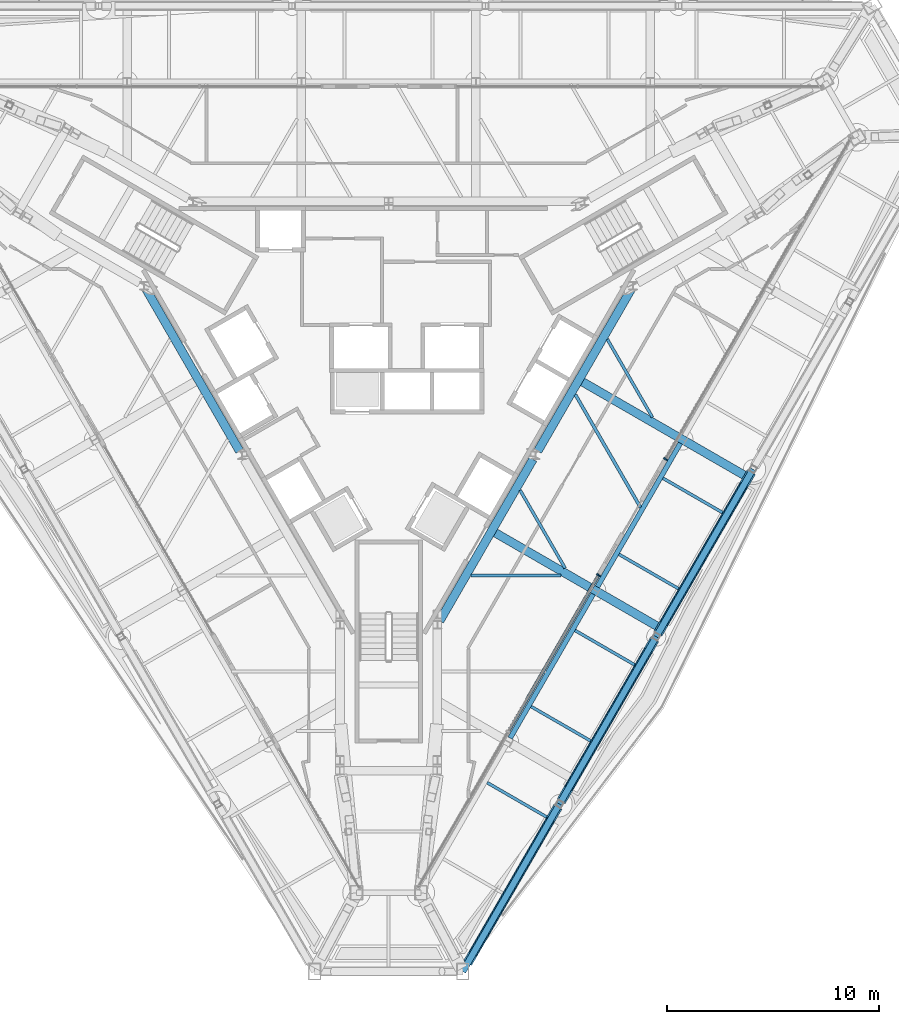
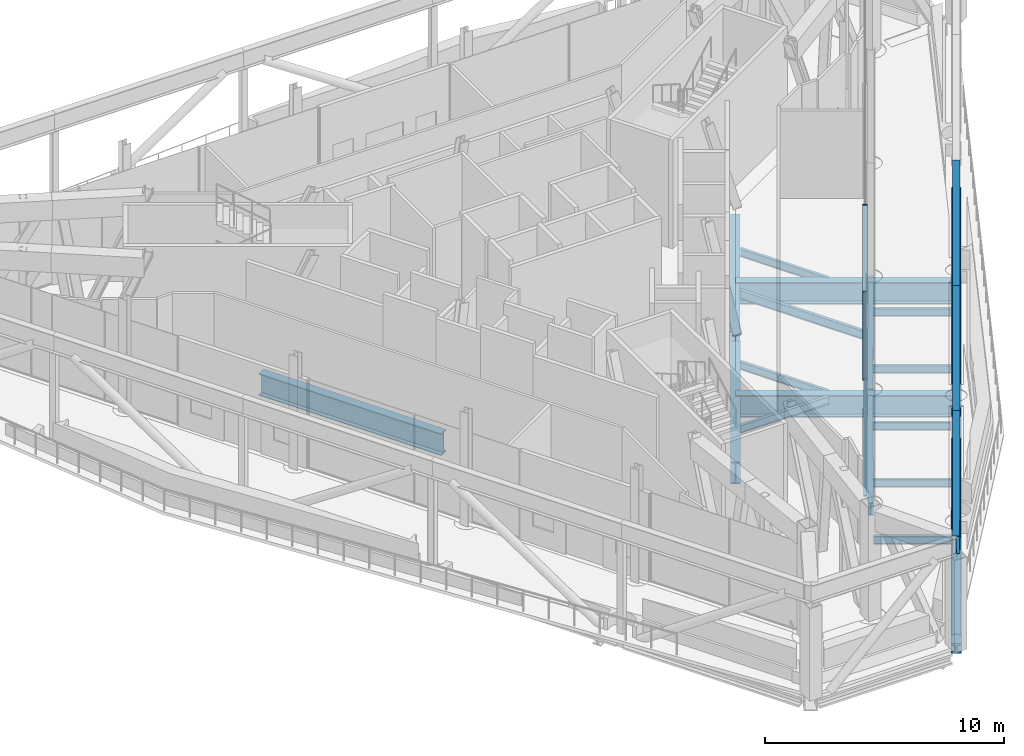
# One storey, part 8 of 25: 22 beams, 6 members, 2 elements without a shape of their own.
"""IFC4 building model written with IfcOpenShell, lengths in metres."""

from ifc_helpers import new_model, si_unit, direction, frame, origin, origin_2d, place, context, subcontext, project, spatial, rectangle, hollow_circle, i_section, extrude, material, material_profile, profile_set, type_object, element, aggregate, save


model = new_model("IFC4")

# Units and contexts
model_context = context("Model", 3, precision=1e-05, world=origin(), true_north=direction((0.0, 1.0)))
body_context = subcontext(model_context, "Body", "Model", "MODEL_VIEW")
ifc_project = project(units=[si_unit("LENGTHUNIT", "METRE"), si_unit("AREAUNIT", "SQUARE_METRE"), si_unit("VOLUMEUNIT", "CUBIC_METRE"), si_unit("PLANEANGLEUNIT", "RADIAN"), si_unit("MASSUNIT", "GRAM", prefix="KILO")], contexts=[model_context])

# Site, building, storey
site_placement = place(None, origin())
site = spatial("IfcSite", under=ifc_project, at=site_placement, CompositionType="ELEMENT")
building_placement = place(site_placement, origin())
building = spatial("IfcBuilding", under=site, at=building_placement, Name="Verrane Prism Tower", CompositionType="ELEMENT")
storey_placement = place(building_placement, frame((0.0, 0.0, 258.199951171875)))
storey = spatial("IfcBuildingStorey", under=building, at=storey_placement, Name="L65", CompositionType="ELEMENT", Elevation=258.199951171875)

# Beams
ifc_material_1 = material(Name="Steel A992", Category="steel")
ifc_material_profile_1 = material_profile(ifc_material_1, i_section(OverallWidth=0.44189453125, OverallDepth=0.53076171875, WebThickness=0.06591796875, FlangeThickness=0.105712890625, FilletRadius=0.01513671875, at=origin_2d()), Name="W14x605")
ifc_profile_set_1 = profile_set([ifc_material_profile_1], Name="Steel A992")
beam_type_1 = type_object("IfcBeamType", Name="Belt truss chord W14x605", PredefinedType="BEAM", material=ifc_profile_set_1)
beam_1_placement = place(storey_placement, frame((3.731201171875, -27.989990234375, -0.424560546875), z_axis=(0.500268050635, 0.865870589357, 0.0), x_axis=(-0.865870589357, 0.500268050635, 0.0)))
element("IfcBeam", 1, at=beam_1_placement, inside=storey, type_object=beam_type_1, Name="Belt truss chord L65", PredefinedType="BEAM", context=body_context, shape_type="SweptSolid", body=[
    extrude(i_section(OverallWidth=0.44189453125, OverallDepth=0.53076171875, WebThickness=0.06591796875, FlangeThickness=0.105712890625, FilletRadius=0.01513671875, at=origin_2d()), origin(), (0.0, 0.0, 1.0), 8.520751953125),
])
for number, where, z_axis, x_axis, name in (
    (2, (8.146240234375, -20.347900390625, -0.424560546875), (0.500260093954, 0.865875186385, 0.0), (-0.865875186385, 0.500260093954, 0.0), "Belt truss chord L65"),
    (3, (12.71630859375, -12.43798828125, -0.424560546875), (0.500260093954, 0.865875186385, 0.0), (-0.865875186385, 0.500260093954, 0.0), "Belt truss chord L65"),
):
    element("IfcBeam", number, at=place(storey_placement, frame(where, z_axis=z_axis, x_axis=x_axis)), inside=storey, type_object=beam_type_1, Name=name, PredefinedType="BEAM", context=body_context, shape_type="SweptSolid", body=[
        extrude(i_section(OverallWidth=0.44189453125, OverallDepth=0.53076171875, WebThickness=0.06591796875, FlangeThickness=0.105712890625, FilletRadius=0.01513671875, at=origin_2d()), origin(), (0.0, 0.0, 1.0), 8.830322265625),
    ])
ifc_material_2 = material(Name="Steel A992", Category="steel")
ifc_material_profile_2 = material_profile(ifc_material_2, i_section(OverallWidth=0.307373046875, OverallDepth=0.927001953125, WebThickness=0.01953125, FlangeThickness=0.031982421875, FilletRadius=0.01904296875, at=origin_2d()), Name="W36x194")
ifc_profile_set_2 = profile_set([ifc_material_profile_2], Name="Steel A992")
beam_type_2 = type_object("IfcBeamType", Name="Belt truss chord W36x194", PredefinedType="BEAM", material=ifc_profile_set_2)
beam_2_placement = place(storey_placement, frame((3.5, -28.389892578125, 5.176513671875), z_axis=(0.500269138002, 0.865869961116, 0.0), x_axis=(-0.865869961116, 0.500269138002, 0.0)))
element("IfcBeam", 4, at=beam_2_placement, inside=storey, type_object=beam_type_2, Name="Belt truss chord L65", PredefinedType="BEAM", context=body_context, shape_type="SweptSolid", body=[
    extrude(i_section(OverallWidth=0.307373046875, OverallDepth=0.927001953125, WebThickness=0.01953125, FlangeThickness=0.031982421875, FilletRadius=0.01904296875, at=origin_2d()), origin(), (0.0, 0.0, 1.0), 9.13525390625),
])
beam_3_placement = place(storey_placement, frame((8.070068359375, -20.47998046875, 5.176513671875), z_axis=(0.50024910089, 0.865881537543, 0.0), x_axis=(-0.865881537543, 0.50024910089, 0.0)))
element("IfcBeam", 5, at=beam_3_placement, inside=storey, type_object=beam_type_2, Name="Belt truss chord L65", PredefinedType="BEAM", context=body_context, shape_type="SweptSolid", body=[
    extrude(i_section(OverallWidth=0.307373046875, OverallDepth=0.927001953125, WebThickness=0.01953125, FlangeThickness=0.031982421875, FilletRadius=0.01904296875, at=origin_2d()), origin(), (0.0, 0.0, 1.0), 9.135009765625),
])
beam_4_placement = place(storey_placement, frame((12.639892578125, -12.570068359375, 5.176513671875), z_axis=(0.50025756172, 0.86587664938, 0.0), x_axis=(-0.86587664938, 0.50025756172, 0.0)))
element("IfcBeam", 6, at=beam_4_placement, inside=storey, type_object=beam_type_2, Name="Belt truss chord L65", PredefinedType="BEAM", context=body_context, shape_type="SweptSolid", body=[
    extrude(i_section(OverallWidth=0.307373046875, OverallDepth=0.927001953125, WebThickness=0.01953125, FlangeThickness=0.031982421875, FilletRadius=0.01904296875, at=origin_2d()), origin(), (0.0, 0.0, 1.0), 9.135498046875),
])

# Members
ifc_material_3 = material(Name="Steel A500 Grade C", Category="steel")
ifc_material_profile_3 = material_profile(ifc_material_3, hollow_circle(Radius=0.203125, WallThickness=0.0126953125, at=origin_2d()), Name="HSS16.000x0.500")
ifc_profile_set_3 = profile_set([ifc_material_profile_3], Name="Steel A500 Grade C")
member_type_1 = type_object("IfcMemberType", Name="Belt truss diagonal HSS16.000x0.500", PredefinedType="BRACE", material=ifc_profile_set_3)
member_1_placement = place(storey_placement, frame((4.004638671875, -27.5166015625, -0.158935546875), z_axis=(0.412078676934, 0.713233379935, 0.567000273159), x_axis=(-0.86587123663, 0.500266930325, 0.0)))
element("IfcMember", 7, at=member_1_placement, inside=storey, type_object=member_type_1, Name="Belt truss diagonal L65", PredefinedType="BRACE", context=body_context, shape_type="SweptSolid", body=[
    extrude(hollow_circle(Radius=0.203125, WallThickness=0.0126953125, at=origin_2d()), origin(), (0.0, 0.0, 1.0), 8.795166015625),
])
member_2_placement = place(storey_placement, frame((12.25341796875, -13.2392578125, -0.158935546875), z_axis=(-0.416001200221, -0.71998638791, 0.55548411556), x_axis=(0.865860350924, -0.500285771033, 0.0)))
element("IfcMember", 8, at=member_2_placement, inside=storey, type_object=member_type_1, Name="Belt truss diagonal L65", PredefinedType="BRACE", context=body_context, shape_type="SweptSolid", body=[
    extrude(hollow_circle(Radius=0.203125, WallThickness=0.0126953125, at=origin_2d()), origin(), (0.0, 0.0, 1.0), 8.9775390625),
])
member_3_placement = place(storey_placement, frame((13.026611328125, -11.900634765625, -0.158935546875), z_axis=(0.415978711163, 0.719994533084, 0.555490399727), x_axis=(-0.865874517809, 0.500261251158, 0.0)))
element("IfcMember", 9, at=member_3_placement, inside=storey, type_object=member_type_1, Name="Belt truss diagonal L65", PredefinedType="BRACE", context=body_context, shape_type="SweptSolid", body=[
    extrude(hollow_circle(Radius=0.203125, WallThickness=0.0126953125, at=origin_2d()), origin(), (0.0, 0.0, 1.0), 8.977294921875),
])

# Beams
ifc_material_4 = material(Name="Steel A992", Category="steel")
ifc_material_profile_4 = material_profile(ifc_material_4, i_section(OverallWidth=0.140380859375, OverallDepth=0.40380859375, WebThickness=0.007080078125, FlangeThickness=0.01123046875, FilletRadius=0.01025390625, at=origin_2d()), Name="W16x31")
ifc_profile_set_4 = profile_set([ifc_material_profile_4], Name="Steel A992")
beam_type_3 = type_object("IfcBeamType", Name="Floor beam W16x31", PredefinedType="BEAM", material=ifc_profile_set_4)
for number, where, z_axis, x_axis, name in (
    (10, (15.77099609375, -6.708984375, -0.36181640625), (-0.866065428515, 0.499930668725, 0.0), (-0.499930668725, -0.866065428515, 0.0), "Floor beam L65"),
    (11, (13.69384765625, -10.30419921875, -0.36181640625), (-0.866032882975, 0.499987045439, 0.0), (-0.499987045439, -0.866032882975, 0.0), "Floor beam L65"),
):
    element("IfcBeam", number, at=place(storey_placement, frame(where, z_axis=z_axis, x_axis=x_axis)), inside=storey, type_object=beam_type_3, Name=name, PredefinedType="BEAM", context=body_context, shape_type="SweptSolid", body=[
        extrude(i_section(OverallWidth=0.140380859375, OverallDepth=0.40380859375, WebThickness=0.007080078125, FlangeThickness=0.01123046875, FilletRadius=0.01025390625, at=origin_2d()), origin(), (0.0, 0.0, 1.0), 3.248046875),
    ])
beam_5_placement = place(storey_placement, frame((11.61669921875, -13.8994140625, -0.36181640625), z_axis=(-0.865990253757, 0.500060876692, 0.0), x_axis=(-0.500060876692, -0.865990253757, 0.0)))
element("IfcBeam", 12, at=beam_5_placement, inside=storey, type_object=beam_type_3, Name="Floor beam L65", PredefinedType="BEAM", context=body_context, shape_type="SweptSolid", body=[
    extrude(i_section(OverallWidth=0.140380859375, OverallDepth=0.40380859375, WebThickness=0.007080078125, FlangeThickness=0.01123046875, FilletRadius=0.01025390625, at=origin_2d()), origin(), (0.0, 0.0, 1.0), 3.2470703125),
])
beam_6_placement = place(storey_placement, frame((9.539794921875, -17.494384765625, -0.36181640625), z_axis=(-0.866021460221, 0.500006830391, 0.0), x_axis=(-0.500006830391, -0.866021460221, 0.0)))
element("IfcBeam", 13, at=beam_6_placement, inside=storey, type_object=beam_type_3, Name="Floor beam L65", PredefinedType="BEAM", context=body_context, shape_type="SweptSolid", body=[
    extrude(i_section(OverallWidth=0.140380859375, OverallDepth=0.40380859375, WebThickness=0.007080078125, FlangeThickness=0.01123046875, FilletRadius=0.01025390625, at=origin_2d()), origin(), (0.0, 0.0, 1.0), 3.2451171875),
])
beam_7_placement = place(storey_placement, frame((7.462646484375, -21.08935546875, -0.36181640625), z_axis=(-0.86601506192, 0.500017912207, 0.0), x_axis=(-0.500017912207, -0.86601506192, 0.0)))
element("IfcBeam", 14, at=beam_7_placement, inside=storey, type_object=beam_type_3, Name="Floor beam L65", PredefinedType="BEAM", context=body_context, shape_type="SweptSolid", body=[
    extrude(i_section(OverallWidth=0.140380859375, OverallDepth=0.40380859375, WebThickness=0.007080078125, FlangeThickness=0.01123046875, FilletRadius=0.01025390625, at=origin_2d()), origin(), (0.0, 0.0, 1.0), 3.24267578125),
])
beam_8_placement = place(storey_placement, frame((3.87890625, -9.68994140625, -0.36181640625), z_axis=(1.0, 0.0, 0.0), x_axis=(0.0, 1.0, 0.0)))
element("IfcBeam", 15, at=beam_8_placement, inside=storey, type_object=beam_type_3, Name="Floor beam L65", PredefinedType="BEAM", context=body_context, shape_type="SweptSolid", body=[
    extrude(i_section(OverallWidth=0.140380859375, OverallDepth=0.40380859375, WebThickness=0.007080078125, FlangeThickness=0.01123046875, FilletRadius=0.01025390625, at=origin_2d()), origin(), (0.0, 0.0, 1.0), 4.26318359375),
])
beam_9_placement = place(storey_placement, frame((8.336669921875, -9.335693359375, -0.36181640625), z_axis=(-0.499997379982, 0.866026916447, 0.0), x_axis=(-0.866026916447, -0.499997379982, 0.0)))
element("IfcBeam", 16, at=beam_9_placement, inside=storey, type_object=beam_type_3, Name="Floor beam L65", PredefinedType="BEAM", context=body_context, shape_type="SweptSolid", body=[
    extrude(i_section(OverallWidth=0.140380859375, OverallDepth=0.40380859375, WebThickness=0.007080078125, FlangeThickness=0.01123046875, FilletRadius=0.01025390625, at=origin_2d()), origin(), (0.0, 0.0, 1.0), 4.25341796875),
])
beam_10_placement = place(storey_placement, frame((12.45947265625, -2.20751953125, -0.36181640625), z_axis=(-0.499973866067, 0.866040491692, 0.0), x_axis=(-0.866040491692, -0.499973866067, 0.0)))
element("IfcBeam", 17, at=beam_10_placement, inside=storey, type_object=beam_type_3, Name="Floor beam L65", PredefinedType="BEAM", context=body_context, shape_type="SweptSolid", body=[
    extrude(i_section(OverallWidth=0.140380859375, OverallDepth=0.40380859375, WebThickness=0.007080078125, FlangeThickness=0.01123046875, FilletRadius=0.01025390625, at=origin_2d()), origin(), (0.0, 0.0, 1.0), 4.259033203125),
])
ifc_material_5 = material(Name="Steel A992", Category="steel")
ifc_material_profile_5 = material_profile(ifc_material_5, i_section(OverallWidth=0.15234375, OverallDepth=0.449462890625, WebThickness=0.007568359375, FlangeThickness=0.0107421875, FilletRadius=0.01025390625, at=origin_2d()), Name="W18x35")
ifc_profile_set_5 = profile_set([ifc_material_profile_5], Name="Steel A992")
beam_type_4 = type_object("IfcBeamType", Name="Floor beam W18x35", PredefinedType="BEAM", material=ifc_profile_set_5)
beam_11_placement = place(storey_placement, frame((11.896484375, -6.462890625, -0.384765625), z_axis=(-0.500023649821, 0.866011749123, 0.0), x_axis=(-0.866011749123, -0.500023649821, 0.0)))
element("IfcBeam", 18, at=beam_11_placement, inside=storey, type_object=beam_type_4, Name="Floor beam L65", PredefinedType="BEAM", context=body_context, shape_type="SweptSolid", body=[
    extrude(i_section(OverallWidth=0.15234375, OverallDepth=0.449462890625, WebThickness=0.007568359375, FlangeThickness=0.0107421875, FilletRadius=0.01025390625, at=origin_2d()), origin(), (0.0, 0.0, 1.0), 6.151123046875),
])

# Curtain wall, member
ifc_material_6 = material(Name="Aluminium framed insulated glazing", Category="aluminium")
curtain_wall_type = type_object("IfcCurtainWallType", Name="Curtain wall CW-A 8400 module", PredefinedType="NOTDEFINED", material=ifc_material_6)
curtain_wall_1_placement = place(storey_placement, origin())
curtain_wall_1 = element("IfcCurtainWall", 19, at=curtain_wall_1_placement, inside=storey, type_object=curtain_wall_type, Name="Refuge lounge glazing south-east face L65 1", PredefinedType="NOTDEFINED")
ifc_material_7 = material(Name="Aluminium alloy 6063-T6", Category="aluminium")
ifc_material_profile_6 = material_profile(ifc_material_7, rectangle(XDim=0.199951171875, YDim=0.070068359375, at=origin_2d()), Name="Mullion 70x200 aluminium")
ifc_profile_set_6 = profile_set([ifc_material_profile_6], Name="Aluminium alloy 6063-T6")
member_type_2 = type_object("IfcMemberType", Name="Mullion 70x200 aluminium", PredefinedType="MULLION", material=ifc_profile_set_6)
member_4_placement = place(storey_placement, frame((9.918212890625, -9.664794921875, 0.0), z_axis=(0.0, 0.0, 1.0), x_axis=(-0.866026683082, 0.499997784185, 0.0)))
member_4 = element("IfcMember", 20, at=member_4_placement, type_object=member_type_2, Name="CW65.6.1 mullion 3", PredefinedType="MULLION", context=body_context, shape_type="SweptSolid", body=[
    extrude(rectangle(XDim=0.199951171875, YDim=0.070068359375, at=origin_2d()), origin(), (0.0, 0.0, 1.0), 4.5224609375),
])

curtain_wall_2_placement = place(storey_placement, origin())
curtain_wall_2 = element("IfcCurtainWall", 21, at=curtain_wall_2_placement, inside=storey, type_object=curtain_wall_type, Name="Refuge lounge glazing south-east face L65 2", PredefinedType="NOTDEFINED")
member_5_placement = place(storey_placement, frame((13.083251953125, -4.182861328125, 0.0), z_axis=(0.0, 0.0, 1.0), x_axis=(-0.86602648744, 0.499998123049, 0.0)))
member_5 = element("IfcMember", 22, at=member_5_placement, type_object=member_type_2, Name="CW65.6.2 mullion 1", PredefinedType="MULLION", context=body_context, shape_type="SweptSolid", body=[
    extrude(rectangle(XDim=0.199951171875, YDim=0.070068359375, at=origin_2d()), origin(), (0.0, 0.0, 1.0), 4.5224609375),
])
aggregate(curtain_wall_2, [member_5])

# Beams
ifc_material_8 = material(Name="Steel A992", Category="steel")
ifc_material_profile_7 = material_profile(ifc_material_8, i_section(OverallWidth=0.23046875, OverallDepth=0.6171875, WebThickness=0.01318359375, FlangeThickness=0.022216796875, FilletRadius=0.012939453125, at=origin_2d()), Name="W24x94")
ifc_profile_set_7 = profile_set([ifc_material_profile_7], Name="Steel A992")
beam_type_5 = type_object("IfcBeamType", Name="Spandrel beam W24x94", PredefinedType="SPANDREL", material=ifc_profile_set_7)
beam_12_placement = place(storey_placement, frame((5.73828125, -17.359619140625, -0.468505859375), z_axis=(0.499798737888, 0.866141571341, 0.0), x_axis=(-0.866141571341, 0.499798737888, 0.0)))
element("IfcBeam", 23, at=beam_12_placement, inside=storey, type_object=beam_type_5, Name="Spandrel beam L65", PredefinedType="SPANDREL", context=body_context, shape_type="SweptSolid", body=[
    extrude(i_section(OverallWidth=0.23046875, OverallDepth=0.6171875, WebThickness=0.01318359375, FlangeThickness=0.022216796875, FilletRadius=0.012939453125, at=origin_2d()), origin(), (0.0, 0.0, 1.0), 7.849853515625),
])
beam_13_placement = place(storey_placement, frame((9.8583984375, -10.219482421875, -0.468505859375), z_axis=(0.500327915282, 0.865835999015, 0.0), x_axis=(-0.865835999015, 0.500327915282, 0.0)))
element("IfcBeam", 24, at=beam_13_placement, inside=storey, type_object=beam_type_5, Name="Spandrel beam L65", PredefinedType="SPANDREL", context=body_context, shape_type="SweptSolid", body=[
    extrude(i_section(OverallWidth=0.23046875, OverallDepth=0.6171875, WebThickness=0.01318359375, FlangeThickness=0.022216796875, FilletRadius=0.012939453125, at=origin_2d()), origin(), (0.0, 0.0, 1.0), 7.841064453125),
])
ifc_material_9 = material(Name="Steel A992", Category="steel")
ifc_material_profile_8 = material_profile(ifc_material_9, i_section(OverallWidth=0.40380859375, OverallDepth=1.11767578125, WebThickness=0.026123046875, FlangeThickness=0.044921875, FilletRadius=0.02001953125, at=origin_2d()), Name="W44x335")
ifc_profile_set_8 = profile_set([ifc_material_profile_8], Name="Steel A992")
beam_type_6 = type_object("IfcBeamType", Name="Transfer girder W44x335", PredefinedType="BEAM", material=ifc_profile_set_8)
beam_14_placement = place(storey_placement, frame((-11.448486328125, 3.826904296875, -0.808837890625), z_axis=(0.499967007444, -0.866044451208, 0.0), x_axis=(0.866044451208, 0.499967007444, 0.0)))
element("IfcBeam", 25, at=beam_14_placement, inside=storey, type_object=beam_type_6, Name="Transfer girder L65", PredefinedType="BEAM", context=body_context, shape_type="SweptSolid", body=[
    extrude(i_section(OverallWidth=0.40380859375, OverallDepth=1.11767578125, WebThickness=0.026123046875, FlangeThickness=0.044921875, FilletRadius=0.02001953125, at=origin_2d()), origin(), (0.0, 0.0, 1.0), 8.814453125),
])
beam_15_placement = place(storey_placement, frame((2.411376953125, -11.826904296875, -0.808837890625), z_axis=(0.499987781028, 0.866032458297, 0.0), x_axis=(-0.866032458297, 0.499987781028, 0.0)))
element("IfcBeam", 26, at=beam_15_placement, inside=storey, type_object=beam_type_6, Name="Transfer girder L65", PredefinedType="BEAM", context=body_context, shape_type="SweptSolid", body=[
    extrude(i_section(OverallWidth=0.40380859375, OverallDepth=1.11767578125, WebThickness=0.026123046875, FlangeThickness=0.044921875, FilletRadius=0.02001953125, at=origin_2d()), origin(), (0.0, 0.0, 1.0), 8.814697265625),
])
beam_16_placement = place(storey_placement, frame((7.04150390625, -3.806884765625, -0.808837890625), z_axis=(0.499967007444, 0.866044451208, 0.0), x_axis=(-0.866044451208, 0.499967007444, 0.0)))
element("IfcBeam", 27, at=beam_16_placement, inside=storey, type_object=beam_type_6, Name="Transfer girder L65", PredefinedType="BEAM", context=body_context, shape_type="SweptSolid", body=[
    extrude(i_section(OverallWidth=0.40380859375, OverallDepth=1.11767578125, WebThickness=0.026123046875, FlangeThickness=0.044921875, FilletRadius=0.02001953125, at=origin_2d()), origin(), (0.0, 0.0, 1.0), 8.814453125),
])
beam_17_placement = place(storey_placement, frame((12.671142578125, -12.07080078125, -0.71875), z_axis=(-0.866024446665, 0.500001657777, 0.0), x_axis=(-0.500001657777, -0.866024446665, 0.0)))
element("IfcBeam", 28, at=beam_17_placement, inside=storey, type_object=beam_type_6, Name="Transfer girder L65", PredefinedType="BEAM", context=body_context, shape_type="SweptSolid", body=[
    extrude(i_section(OverallWidth=0.40380859375, OverallDepth=1.11767578125, WebThickness=0.026123046875, FlangeThickness=0.044921875, FilletRadius=0.02001953125, at=origin_2d()), origin(), (0.0, 0.0, 1.0), 9.00732421875),
])
beam_18_placement = place(storey_placement, frame((16.78857421875, -4.939208984375, -0.71875), z_axis=(-0.866031222663, 0.499989921271, 0.0), x_axis=(-0.499989921271, -0.866031222663, 0.0)))
element("IfcBeam", 29, at=beam_18_placement, inside=storey, type_object=beam_type_6, Name="Transfer girder L65", PredefinedType="BEAM", context=body_context, shape_type="SweptSolid", body=[
    extrude(i_section(OverallWidth=0.40380859375, OverallDepth=1.11767578125, WebThickness=0.026123046875, FlangeThickness=0.044921875, FilletRadius=0.02001953125, at=origin_2d()), origin(), (0.0, 0.0, 1.0), 9.007568359375),
])

# Member
ifc_material_10 = material(Name="Aluminium alloy 6063-T6", Category="aluminium")
ifc_material_profile_9 = material_profile(ifc_material_10, rectangle(XDim=0.14990234375, YDim=0.070068359375, at=origin_2d()), Name="Transom 70x150 aluminium")
ifc_profile_set_9 = profile_set([ifc_material_profile_9], Name="Aluminium alloy 6063-T6")
member_type_3 = type_object("IfcMemberType", Name="Transom 70x150 aluminium", PredefinedType="USERDEFINED", material=ifc_profile_set_9)
member_6_placement = place(storey_placement, frame((5.664306640625, -17.03271484375, 0.03515625), z_axis=(0.499994330524, 0.866028677033, 0.0), x_axis=(-0.866028677033, 0.499994330524, 0.0)))
member_6 = element("IfcMember", 30, at=member_6_placement, type_object=member_type_3, Name="CW65.6.1 transom 2", ObjectType="TRANSOM", PredefinedType="USERDEFINED", context=body_context, shape_type="SweptSolid", body=[
    extrude(rectangle(XDim=0.14990234375, YDim=0.070068359375, at=origin_2d()), origin(), (0.0, 0.0, 1.0), 8.47265625),
])

aggregate(curtain_wall_1, [member_4, member_6])

save(model, "model.ifc")
